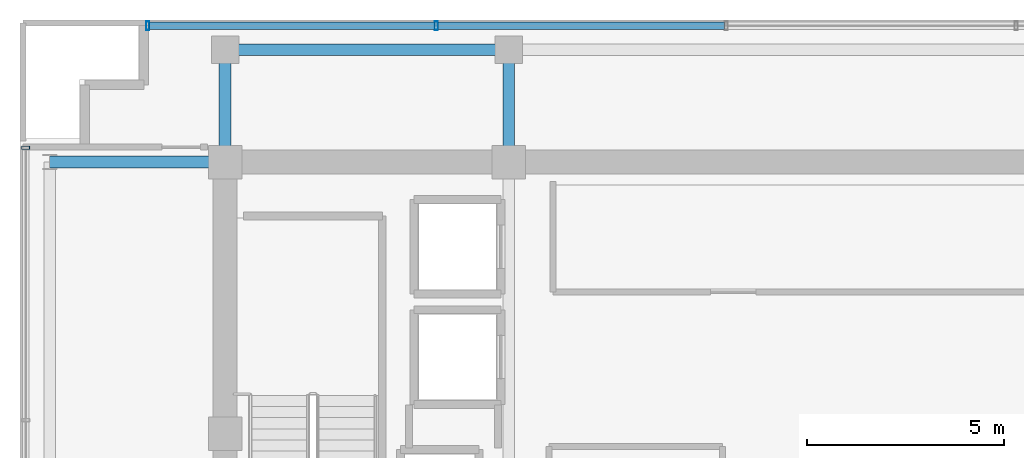
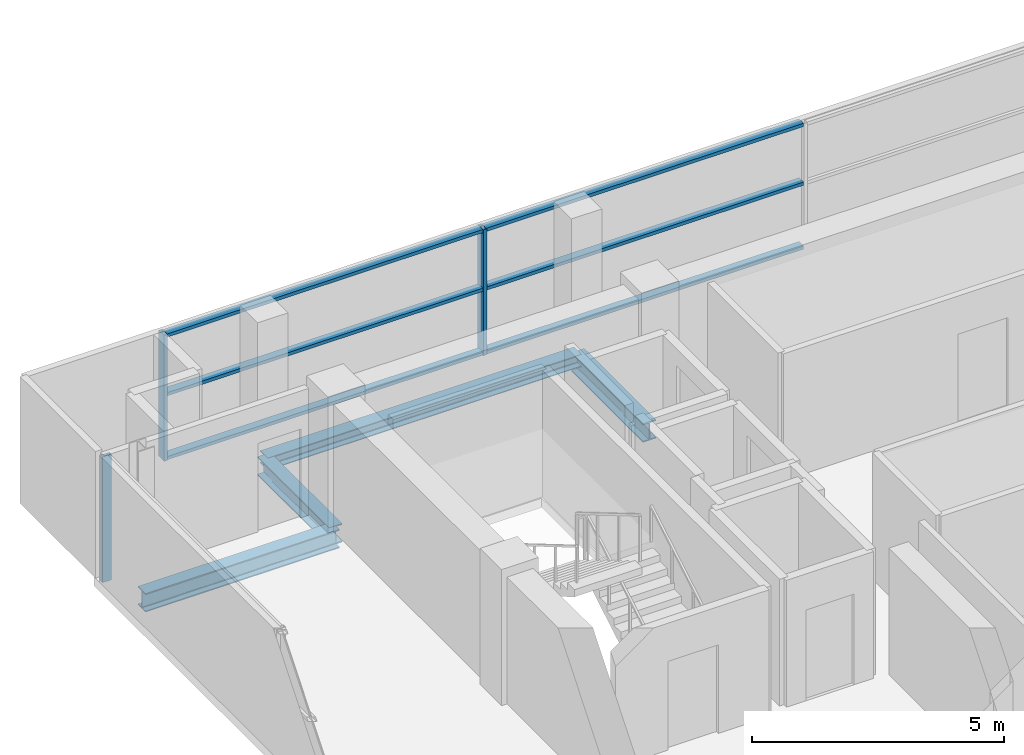
# One storey, part 10 of 22: 9 members, 4 beams, 2 elements without a shape of their own.
"""IFC4 building model written with IfcOpenShell, lengths in metres."""

from ifc_helpers import new_model, si_unit, direction, frame, origin, origin_2d, place, context, subcontext, project, spatial, hollow_rectangle, i_section, extrude, source, transform, mapped, material, layer, layer_set, material_profile, profile_set, type_object, element, aggregate, save


model = new_model("IFC4")

# Units and contexts
model_context = context("Model", 3, precision=1e-05, world=origin(), true_north=direction((0.0, 1.0)))
body_context = subcontext(model_context, "Body", "Model", "MODEL_VIEW")
ifc_project = project(units=[si_unit("LENGTHUNIT", "METRE"), si_unit("AREAUNIT", "SQUARE_METRE"), si_unit("VOLUMEUNIT", "CUBIC_METRE"), si_unit("PLANEANGLEUNIT", "RADIAN"), si_unit("MASSUNIT", "GRAM", prefix="KILO")], contexts=[model_context])

# Site, building, storey
site_placement = place(None, origin())
site = spatial("IfcSite", under=ifc_project, at=site_placement, CompositionType="ELEMENT")
building_placement = place(site_placement, origin())
building = spatial("IfcBuilding", under=site, at=building_placement, Name="Zarnakvel Exchange Tower", CompositionType="ELEMENT")
storey_placement = place(building_placement, frame((0.0, 0.0, 238.60009765625)))
storey = spatial("IfcBuildingStorey", under=building, at=storey_placement, Name="L67", CompositionType="ELEMENT", Elevation=238.60009765625)

# Beams
ifc_material_1 = material(Name="Steel S355", Category="steel")
ifc_material_profile_1 = material_profile(ifc_material_1, i_section(OverallWidth=0.300048828125, OverallDepth=0.449951171875, WebThickness=0.013916015625, FlangeThickness=0.02587890625, FilletRadius=0.027099609375, at=origin_2d()))
ifc_profile_set_1 = profile_set([ifc_material_profile_1], Name="Steel S355")
beam_type_1 = type_object("IfcBeamType", Name="G-07", PredefinedType="BEAM", material=ifc_profile_set_1)
beam_1_placement = place(storey_placement, frame((-18.85009765625, 13.5, -0.4501953125), z_axis=(1.0, 0.0, 0.0), x_axis=(0.0, 1.0, 0.0)))
element("IfcBeam", 1, at=beam_1_placement, inside=storey, type_object=beam_type_1, Name="L67 Tower E-W Frame Beam", PredefinedType="BEAM", context=body_context, shape_type="SweptSolid", body=[
    extrude(i_section(OverallWidth=0.300048828125, OverallDepth=0.449951171875, WebThickness=0.013916015625, FlangeThickness=0.02587890625, FilletRadius=0.027099609375, at=origin_2d()), origin(), (0.0, 0.0, 1.0), 4.4501953125),
])
for number, where, z_axis, x_axis, name in (
    (2, (-14.39990234375, 13.5, -0.4501953125), (0.0, 1.0, 0.0), (-1.0, 0.0, 0.0), "L67 Tower N-S Frame Beam"),
    (3, (-7.199951171875, 13.5, -0.4501953125), (0.0, 1.0, 0.0), (-1.0, 0.0, 0.0), "L67 Tower N-S Frame Beam"),
):
    element("IfcBeam", number, at=place(storey_placement, frame(where, z_axis=z_axis, x_axis=x_axis)), inside=storey, type_object=beam_type_1, Name=name, PredefinedType="BEAM", context=body_context, shape_type="SweptSolid", body=[
        extrude(i_section(OverallWidth=0.300048828125, OverallDepth=0.449951171875, WebThickness=0.013916015625, FlangeThickness=0.02587890625, FilletRadius=0.027099609375, at=origin_2d()), origin(), (0.0, 0.0, 1.0), 2.85009765625),
    ])
ifc_material_profile_2 = material_profile(ifc_material_1, i_section(OverallWidth=0.300048828125, OverallDepth=0.300048828125, WebThickness=0.010986328125, FlangeThickness=0.01904296875, FilletRadius=0.027099609375, at=origin_2d()))
ifc_profile_set_2 = profile_set([ifc_material_profile_2], Name="Steel S355")
beam_type_2 = type_object("IfcBeamType", Name="SP-03", PredefinedType="SPANDREL", material=ifc_profile_set_2)
beam_2_placement = place(storey_placement, frame((-14.39990234375, 16.35009765625, -0.375), z_axis=(1.0, 0.0, 0.0), x_axis=(0.0, 1.0, 0.0)))
element("IfcBeam", 4, at=beam_2_placement, inside=storey, type_object=beam_type_2, Name="L67 Tower E-W Frame Beam", PredefinedType="SPANDREL", context=body_context, shape_type="SweptSolid", body=[
    extrude(i_section(OverallWidth=0.300048828125, OverallDepth=0.300048828125, WebThickness=0.010986328125, FlangeThickness=0.01904296875, FilletRadius=0.027099609375, at=origin_2d()), origin(), (0.0, 0.0, 1.0), 7.199951171875),
])

# Curtain wall, member
ifc_material_2 = material(Name="Architectural Bronze Anodised Aluminium", Category="aluminium")
ifc_layer_1 = layer(ifc_material_2, 0.199951171875)
ifc_layer_set_1 = layer_set([ifc_layer_1], Name="Architectural Bronze Anodised Aluminium")
curtain_wall_type_1 = type_object("IfcCurtainWallType", Name="CW-04", PredefinedType="NOTDEFINED", material=ifc_layer_set_1)
curtain_wall_1_placement = place(storey_placement, origin())
curtain_wall_1 = element("IfcCurtainWall", 5, at=curtain_wall_1_placement, inside=storey, type_object=curtain_wall_type_1, Name="L67 Curtain Wall CW-L67-W1 (CW-04)", PredefinedType="NOTDEFINED")
ifc_material_profile_3 = material_profile(ifc_material_2, hollow_rectangle(XDim=0.199951171875, YDim=0.074951171875, WallThickness=0.0048828125, at=origin_2d()))
ifc_profile_set_3 = profile_set([ifc_material_profile_3], Name="Architectural Bronze Anodised Aluminium")
member_type_1 = type_object("IfcMemberType", Name="CWM-04", PredefinedType="MULLION", material=ifc_profile_set_3)
shared_shape_1 = source(origin(), body_context, "Body", "SweptSolid", [
    extrude(hollow_rectangle(XDim=0.199951171875, YDim=0.074951171875, WallThickness=0.0048828125, at=origin_2d()), origin(), (0.0, 0.0, 1.0), 3.054931640625),
])
member_1_placement = place(storey_placement, frame((-19.4599609375, 13.862548828125, 0.0), z_axis=(0.0, 0.0, 1.0), x_axis=(-1.0, 0.0, 0.0)))
member_1 = element("IfcMember", 6, at=member_1_placement, type_object=member_type_1, Name="CW-04 mullion 5", PredefinedType="MULLION", context=body_context, shape_type="MappedRepresentation", body=[
    mapped(shared_shape_1, transform((0.0, 0.0, 0.0), x_axis=(1.0, 0.0, 0.0), y_axis=(0.0, 1.0, 0.0), z_axis=(0.0, 0.0, 1.0), scale=1.0)),
])
aggregate(curtain_wall_1, [member_1])

# Curtain wall, members
ifc_layer_2 = layer(ifc_material_2, 0.219970703125)
ifc_layer_set_2 = layer_set([ifc_layer_2], Name="Architectural Bronze Anodised Aluminium")
curtain_wall_type_2 = type_object("IfcCurtainWallType", Name="CW-03", PredefinedType="NOTDEFINED", material=ifc_layer_set_2)
curtain_wall_2_placement = place(storey_placement, origin())
curtain_wall_2 = element("IfcCurtainWall", 7, at=curtain_wall_2_placement, inside=storey, type_object=curtain_wall_type_2, Name="L67 Curtain Wall CW-L67-N1 (CW-03)", PredefinedType="NOTDEFINED")
ifc_material_profile_4 = material_profile(ifc_material_2, hollow_rectangle(XDim=0.219970703125, YDim=0.080078125, WallThickness=0.0048828125, at=origin_2d()))
ifc_profile_set_4 = profile_set([ifc_material_profile_4], Name="Architectural Bronze Anodised Aluminium")
member_type_2 = type_object("IfcMemberType", Name="CWM-03", PredefinedType="MULLION", material=ifc_profile_set_4)
shared_shape_2 = source(origin(), body_context, "Body", "SweptSolid", [
    extrude(hollow_rectangle(XDim=0.219970703125, YDim=0.080078125, WallThickness=0.0048828125, at=origin_2d()), origin(), (0.0, 0.0, 1.0), 3.054931640625),
])
member_2_placement = place(storey_placement, frame((-16.360107421875, 16.9599609375, 0.0), z_axis=(0.0, 0.0, 1.0), x_axis=(0.0, 1.0, 0.0)))
member_2 = element("IfcMember", 8, at=member_2_placement, type_object=member_type_2, Name="CW-03 mullion 1", PredefinedType="MULLION", context=body_context, shape_type="MappedRepresentation", body=[
    mapped(shared_shape_2, transform((0.0, 0.0, 0.0), x_axis=(1.0, 0.0, 0.0), y_axis=(0.0, 1.0, 0.0), z_axis=(0.0, 0.0, 1.0), scale=1.0)),
])
member_3_placement = place(storey_placement, frame((-9.0400390625, 16.9599609375, 0.0), z_axis=(0.0, 0.0, 1.0), x_axis=(0.0, 1.0, 0.0)))
member_3 = element("IfcMember", 9, at=member_3_placement, type_object=member_type_2, Name="CW-03 mullion 2", PredefinedType="MULLION", context=body_context, shape_type="MappedRepresentation", body=[
    mapped(shared_shape_2, transform((0.0, 0.0, 0.0), x_axis=(1.0, 0.0, 0.0), y_axis=(0.0, 1.0, 0.0), z_axis=(0.0, 0.0, 1.0), scale=1.0)),
])
ifc_material_profile_5 = material_profile(ifc_material_2, hollow_rectangle(XDim=0.179931640625, YDim=0.080078125, WallThickness=0.00390625, at=origin_2d()))
ifc_profile_set_5 = profile_set([ifc_material_profile_5], Name="Architectural Bronze Anodised Aluminium")
member_type_3 = type_object("IfcMemberType", Name="CWT-03", PredefinedType="USERDEFINED", material=ifc_profile_set_5)
shared_shape_3 = source(origin(), body_context, "Body", "SweptSolid", [
    extrude(hollow_rectangle(XDim=0.179931640625, YDim=0.080078125, WallThickness=0.00390625, at=origin_2d()), origin(), (0.0, 0.0, 1.0), 7.239990234375),
])
member_4_placement = place(storey_placement, frame((-16.320068359375, 16.9599609375, 0.039794921875), z_axis=(1.0, 0.0, 0.0), x_axis=(0.0, 1.0, 0.0)))
member_4 = element("IfcMember", 10, at=member_4_placement, type_object=member_type_3, Name="CW-03 transom 1.1", ObjectType="TRANSOM", PredefinedType="USERDEFINED", context=body_context, shape_type="MappedRepresentation", body=[
    mapped(shared_shape_3, transform((0.0, 0.0, 0.0), x_axis=(1.0, 0.0, 0.0), y_axis=(0.0, 1.0, 0.0), z_axis=(0.0, 0.0, 1.0), scale=1.0)),
])
member_5_placement = place(storey_placement, frame((-16.320068359375, 16.9599609375, 1.588623046875), z_axis=(1.0, 0.0, 0.0), x_axis=(0.0, 1.0, 0.0)))
member_5 = element("IfcMember", 11, at=member_5_placement, type_object=member_type_3, Name="CW-03 transom 1.2", ObjectType="TRANSOM", PredefinedType="USERDEFINED", context=body_context, shape_type="MappedRepresentation", body=[
    mapped(shared_shape_3, transform((0.0, 0.0, 0.0), x_axis=(1.0, 0.0, 0.0), y_axis=(0.0, 1.0, 0.0), z_axis=(0.0, 0.0, 1.0), scale=1.0)),
])
member_6_placement = place(storey_placement, frame((-16.320068359375, 16.9599609375, 3.014892578125), z_axis=(1.0, 0.0, 0.0), x_axis=(0.0, 1.0, 0.0)))
member_6 = element("IfcMember", 12, at=member_6_placement, type_object=member_type_3, Name="CW-03 transom 1.3", ObjectType="TRANSOM", PredefinedType="USERDEFINED", context=body_context, shape_type="MappedRepresentation", body=[
    mapped(shared_shape_3, transform((0.0, 0.0, 0.0), x_axis=(1.0, 0.0, 0.0), y_axis=(0.0, 1.0, 0.0), z_axis=(0.0, 0.0, 1.0), scale=1.0)),
])
shared_shape_4 = source(origin(), body_context, "Body", "SweptSolid", [
    extrude(hollow_rectangle(XDim=0.179931640625, YDim=0.080078125, WallThickness=0.00390625, at=origin_2d()), origin(), (0.0, 0.0, 1.0), 7.280029296875),
])
member_7_placement = place(storey_placement, frame((-9.0, 16.9599609375, 0.039794921875), z_axis=(1.0, 0.0, 0.0), x_axis=(0.0, 1.0, 0.0)))
member_7 = element("IfcMember", 13, at=member_7_placement, type_object=member_type_3, Name="CW-03 transom 2.1", ObjectType="TRANSOM", PredefinedType="USERDEFINED", context=body_context, shape_type="MappedRepresentation", body=[
    mapped(shared_shape_4, transform((0.0, 0.0, 0.0), x_axis=(1.0, 0.0, 0.0), y_axis=(0.0, 1.0, 0.0), z_axis=(0.0, 0.0, 1.0), scale=1.0)),
])
member_8_placement = place(storey_placement, frame((-9.0, 16.9599609375, 1.588623046875), z_axis=(1.0, 0.0, 0.0), x_axis=(0.0, 1.0, 0.0)))
member_8 = element("IfcMember", 14, at=member_8_placement, type_object=member_type_3, Name="CW-03 transom 2.2", ObjectType="TRANSOM", PredefinedType="USERDEFINED", context=body_context, shape_type="MappedRepresentation", body=[
    mapped(shared_shape_4, transform((0.0, 0.0, 0.0), x_axis=(1.0, 0.0, 0.0), y_axis=(0.0, 1.0, 0.0), z_axis=(0.0, 0.0, 1.0), scale=1.0)),
])
member_9_placement = place(storey_placement, frame((-9.0, 16.9599609375, 3.014892578125), z_axis=(1.0, 0.0, 0.0), x_axis=(0.0, 1.0, 0.0)))
member_9 = element("IfcMember", 15, at=member_9_placement, type_object=member_type_3, Name="CW-03 transom 2.3", ObjectType="TRANSOM", PredefinedType="USERDEFINED", context=body_context, shape_type="MappedRepresentation", body=[
    mapped(shared_shape_4, transform((0.0, 0.0, 0.0), x_axis=(1.0, 0.0, 0.0), y_axis=(0.0, 1.0, 0.0), z_axis=(0.0, 0.0, 1.0), scale=1.0)),
])
aggregate(curtain_wall_2, [member_2, member_3, member_4, member_5, member_6, member_7, member_8, member_9])

save(model, "model.ifc")
